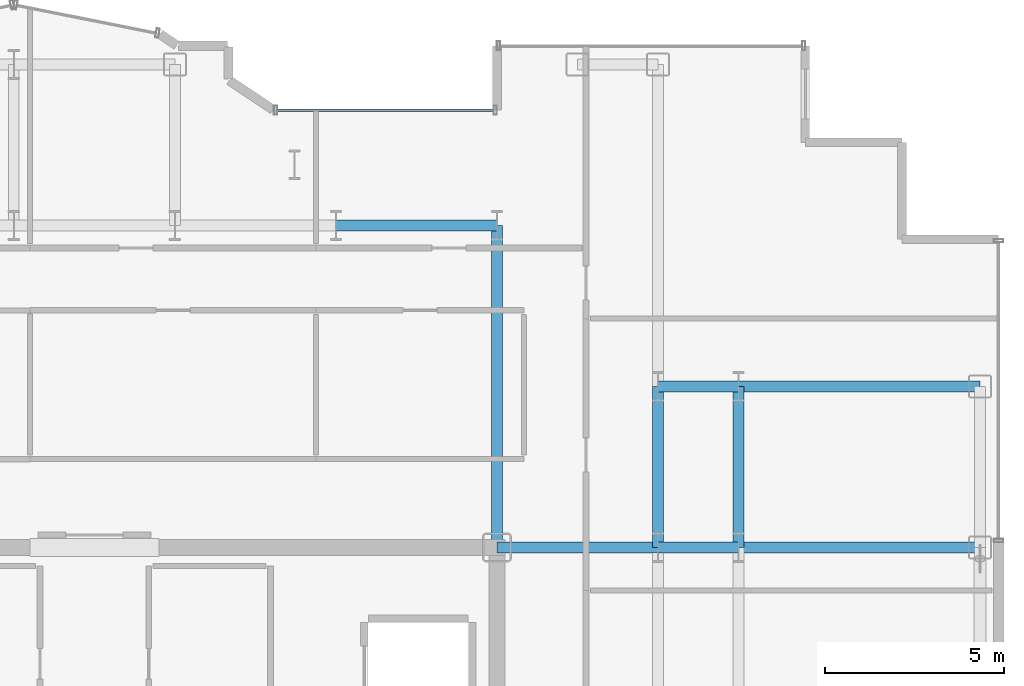
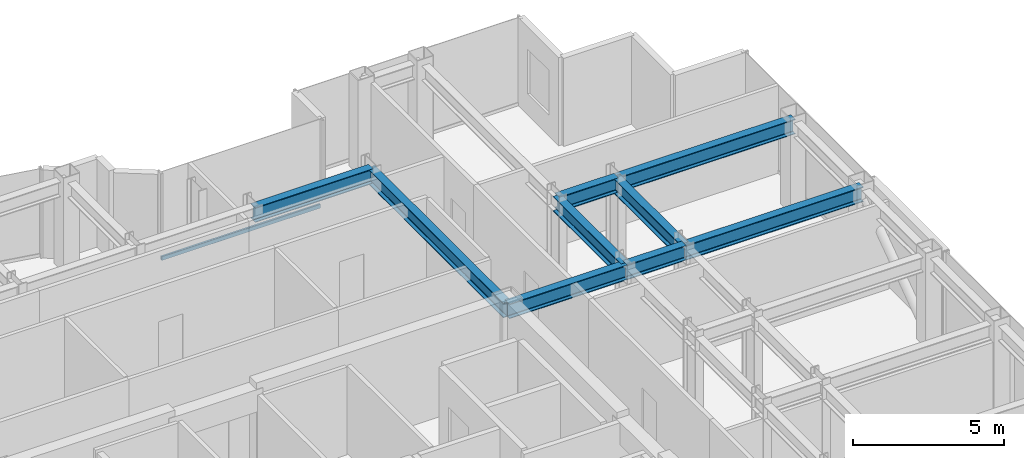
# One storey, part 12 of 21: 9 beams, 1 member, 1 element without a shape of its own.
"""IFC4 building model written with IfcOpenShell, lengths in metres."""

from ifc_helpers import new_model, si_unit, direction, frame, origin, origin_2d, place, context, subcontext, project, spatial, hollow_rectangle, i_section, extrude, source, transform, mapped, material, layer, layer_set, material_profile, profile_set, type_object, element, aggregate, save


model = new_model("IFC4")

# Units and contexts
model_context = context("Model", 3, precision=1e-05, world=origin(), true_north=direction((0.0, 1.0)))
body_context = subcontext(model_context, "Body", "Model", "MODEL_VIEW")
ifc_project = project(units=[si_unit("LENGTHUNIT", "METRE"), si_unit("AREAUNIT", "SQUARE_METRE"), si_unit("VOLUMEUNIT", "CUBIC_METRE"), si_unit("PLANEANGLEUNIT", "RADIAN"), si_unit("MASSUNIT", "GRAM", prefix="KILO")], contexts=[model_context])

# Site, building, storey
site_placement = place(None, origin())
site = spatial("IfcSite", under=ifc_project, at=site_placement, CompositionType="ELEMENT")
building_placement = place(site_placement, origin())
building = spatial("IfcBuilding", under=site, at=building_placement, Name="Nefas-Gora Pilgrimage Tower", CompositionType="ELEMENT")
storey_placement = place(building_placement, frame((0.0, 0.0, 229.39990234375)))
storey = spatial("IfcBuildingStorey", under=building, at=storey_placement, Name="L57", CompositionType="ELEMENT", Elevation=229.39990234375)

# Beams
ifc_material_1 = material(Name="Steel S355", Category="steel")
ifc_material_profile_1 = material_profile(ifc_material_1, i_section(OverallWidth=0.300048828125, OverallDepth=0.60009765625, WebThickness=0.015380859375, FlangeThickness=0.030029296875, FilletRadius=0.027099609375, at=origin_2d()), Name="HEB 600")
ifc_profile_set_1 = profile_set([ifc_material_profile_1], Name="Steel S355")
beam_type = type_object("IfcBeamType", Name="BM-GIR-HEB600", PredefinedType="BEAM", material=ifc_profile_set_1)
shared_shape_1 = source(origin(), body_context, "Body", "SweptSolid", [
    extrude(i_section(OverallWidth=0.300048828125, OverallDepth=0.60009765625, WebThickness=0.015380859375, FlangeThickness=0.030029296875, FilletRadius=0.027099609375, at=origin_2d()), origin(), (0.0, 0.0, 1.0), 9.0),
])
beam_placement = place(storey_placement, frame((11.25, 9.0, 3.25), z_axis=(0.0, 1.0, 0.0), x_axis=(-1.0, 0.0, 0.0)))
element("IfcBeam", 1, at=beam_placement, inside=storey, type_object=beam_type, Name="L57 G-04 beam", PredefinedType="BEAM", context=body_context, shape_type="MappedRepresentation", body=[
    mapped(shared_shape_1, transform((0.0, 0.0, 0.0), x_axis=(1.0, 0.0, 0.0), y_axis=(0.0, 1.0, 0.0), z_axis=(0.0, 0.0, 1.0), scale=1.0)),
])
shared_shape_2 = source(origin(), body_context, "Body", "SweptSolid", [
    extrude(i_section(OverallWidth=0.300048828125, OverallDepth=0.60009765625, WebThickness=0.015380859375, FlangeThickness=0.030029296875, FilletRadius=0.027099609375, at=origin_2d()), origin(), (0.0, 0.0, 1.0), 4.5),
])
for number, where, z_axis, x_axis, name in (
    (2, (6.75, 18.0, 3.25), (1.0, 0.0, 0.0), (0.0, 1.0, 0.0), "L57 G-04 beam"),
    (3, (11.25, 9.0, 3.25), (1.0, 0.0, 0.0), (0.0, 1.0, 0.0), "L57 G-04 beam"),
    (4, (15.75, 9.0, 3.25), (0.0, 1.0, 0.0), (-1.0, 0.0, 0.0), "L57 G-04 beam"),
    (5, (18.0, 9.0, 3.25), (0.0, 1.0, 0.0), (-1.0, 0.0, 0.0), "L57 G-04 beam"),
):
    element("IfcBeam", number, at=place(storey_placement, frame(where, z_axis=z_axis, x_axis=x_axis)), inside=storey, type_object=beam_type, Name=name, PredefinedType="BEAM", context=body_context, shape_type="MappedRepresentation", body=[
        mapped(shared_shape_2, transform((0.0, 0.0, 0.0), x_axis=(1.0, 0.0, 0.0), y_axis=(0.0, 1.0, 0.0), z_axis=(0.0, 0.0, 1.0), scale=1.0)),
    ])
shared_shape_3 = source(origin(), body_context, "Body", "SweptSolid", [
    extrude(i_section(OverallWidth=0.300048828125, OverallDepth=0.60009765625, WebThickness=0.015380859375, FlangeThickness=0.030029296875, FilletRadius=0.027099609375, at=origin_2d()), origin(), (0.0, 0.0, 1.0), 6.75),
])
for number, where, z_axis, x_axis, name in (
    (6, (18.0, 9.0, 3.25), (1.0, 0.0, 0.0), (0.0, 1.0, 0.0), "L57 G-04 beam"),
    (7, (18.0, 13.5, 3.25), (1.0, 0.0, 0.0), (0.0, 1.0, 0.0), "L57 G-04 beam"),
):
    element("IfcBeam", number, at=place(storey_placement, frame(where, z_axis=z_axis, x_axis=x_axis)), inside=storey, type_object=beam_type, Name=name, PredefinedType="BEAM", context=body_context, shape_type="MappedRepresentation", body=[
        mapped(shared_shape_3, transform((0.0, 0.0, 0.0), x_axis=(1.0, 0.0, 0.0), y_axis=(0.0, 1.0, 0.0), z_axis=(0.0, 0.0, 1.0), scale=1.0)),
    ])
shared_shape_4 = source(origin(), body_context, "Body", "SweptSolid", [
    extrude(i_section(OverallWidth=0.300048828125, OverallDepth=0.60009765625, WebThickness=0.015380859375, FlangeThickness=0.030029296875, FilletRadius=0.027099609375, at=origin_2d()), origin(), (0.0, 0.0, 1.0), 2.25),
])
for number, where, z_axis, x_axis, name in (
    (8, (15.75, 9.0, 3.25), (1.0, 0.0, 0.0), (0.0, 1.0, 0.0), "L57 G-04 beam"),
    (9, (15.75, 13.5, 3.25), (1.0, 0.0, 0.0), (0.0, 1.0, 0.0), "L57 G-04 beam"),
):
    element("IfcBeam", number, at=place(storey_placement, frame(where, z_axis=z_axis, x_axis=x_axis)), inside=storey, type_object=beam_type, Name=name, PredefinedType="BEAM", context=body_context, shape_type="MappedRepresentation", body=[
        mapped(shared_shape_4, transform((0.0, 0.0, 0.0), x_axis=(1.0, 0.0, 0.0), y_axis=(0.0, 1.0, 0.0), z_axis=(0.0, 0.0, 1.0), scale=1.0)),
    ])

# Curtain wall, member
ifc_material_2 = material(Name="Dark ceramic-fritted solar-control aluminium-glass curtain wall", Category="aluminium")
ifc_layer = layer(ifc_material_2, 0.219970703125)
ifc_layer_set = layer_set([ifc_layer], Name="Dark ceramic-fritted solar-control aluminium-glass curtain wall")
curtain_wall_type = type_object("IfcCurtainWallType", Name="CW-SYS-5", PredefinedType="NOTDEFINED", material=ifc_layer_set)
curtain_wall_placement = place(storey_placement, origin())
curtain_wall = element("IfcCurtainWall", 10, at=curtain_wall_placement, inside=storey, type_object=curtain_wall_type, Name="L57 Unitised Curtain Wall CW5", PredefinedType="NOTDEFINED")
ifc_material_3 = material(Name="Anodised architectural aluminium", Category="aluminium")
ifc_material_profile_2 = material_profile(ifc_material_3, hollow_rectangle(XDim=0.080078125, YDim=0.159912109375, WallThickness=0.00439453125, InnerFilletRadius=0.00439453125, OuterFilletRadius=0.009033203125, at=origin_2d()), Name="ALU TRANSOM 80x160")
ifc_profile_set_2 = profile_set([ifc_material_profile_2], Name="Anodised architectural aluminium")
member_type = type_object("IfcMemberType", Name="CWM-TRN-5", PredefinedType="USERDEFINED", material=ifc_profile_set_2)
shared_shape_5 = source(origin(), body_context, "Body", "SweptSolid", [
    extrude(hollow_rectangle(XDim=0.080078125, YDim=0.159912109375, WallThickness=0.00439453125, InnerFilletRadius=0.00439453125, OuterFilletRadius=0.009033203125, at=origin_2d()), origin(), (0.0, 0.0, 1.0), 6.052001953125),
])
member_placement = place(storey_placement, frame((11.159912109375, 21.219970703125, 0.050048828125), z_axis=(-1.0, 0.0, 0.0), x_axis=(0.0, -1.0, 0.0)))
member = element("IfcMember", 11, at=member_placement, type_object=member_type, Name="CW5 Spandrel Transom", ObjectType="TRANSOM", PredefinedType="USERDEFINED", context=body_context, shape_type="MappedRepresentation", body=[
    mapped(shared_shape_5, transform((0.0, 0.0, 0.0), x_axis=(1.0, 0.0, 0.0), y_axis=(0.0, 1.0, 0.0), z_axis=(0.0, 0.0, 1.0), scale=1.0)),
])
aggregate(curtain_wall, [member])

save(model, "model.ifc")
